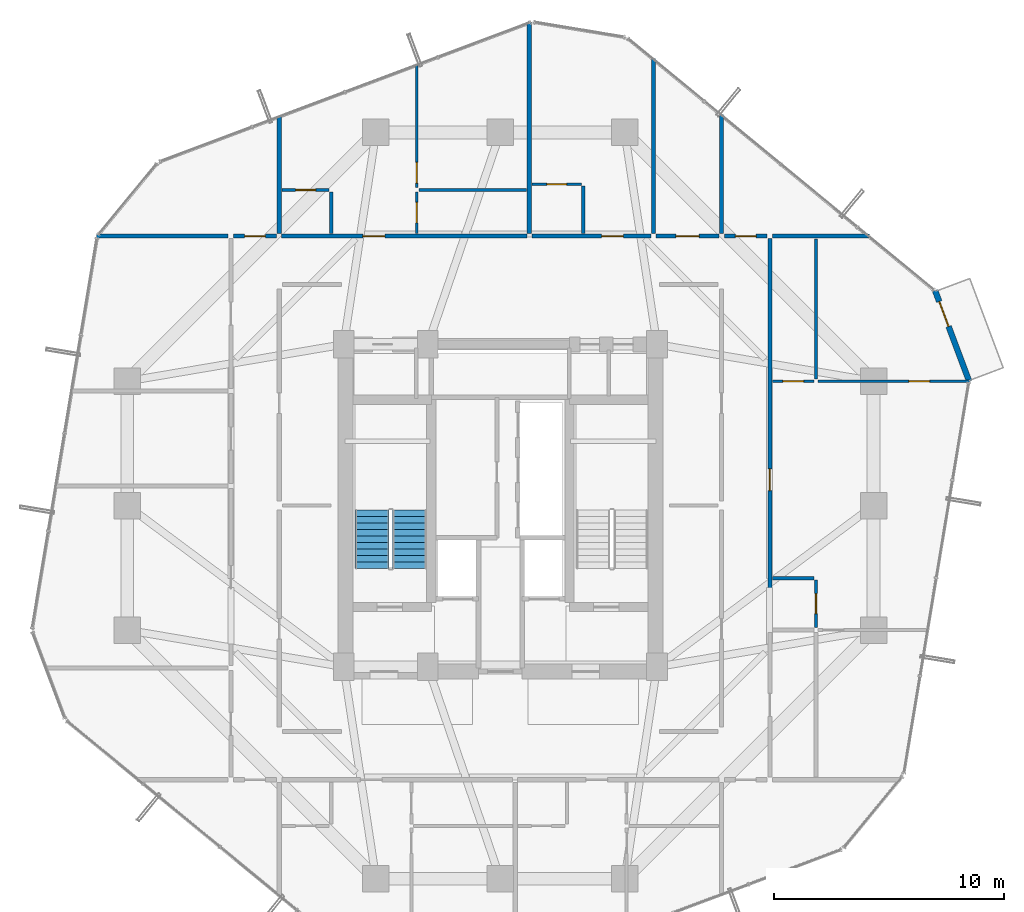
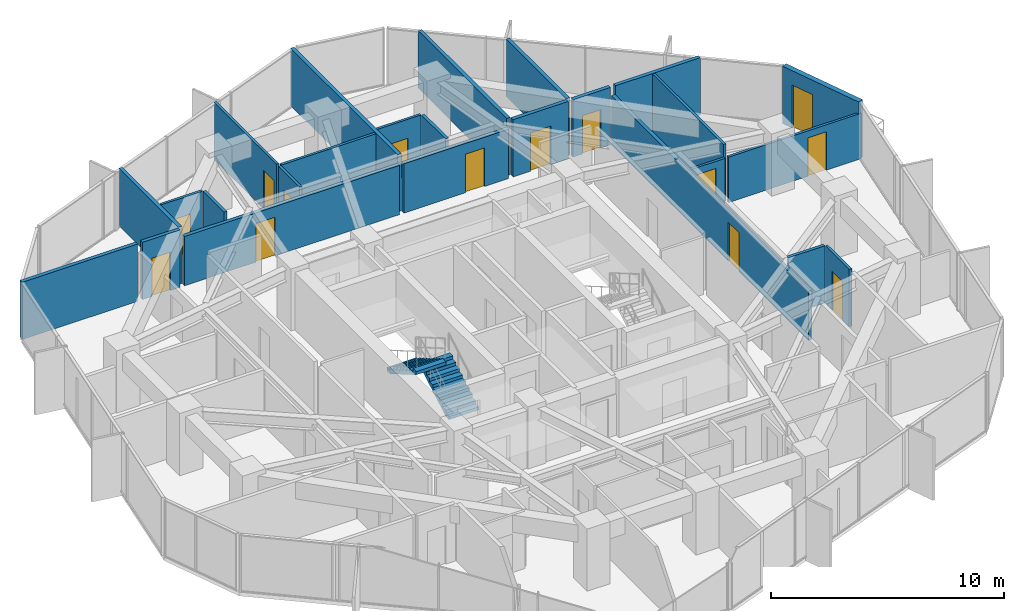
# One storey, part 27 of 30: 25 walls, 14 doors, 2 stair flights, 14 openings, 1 element without a shape of its own.
"""IFC4 building model written with IfcOpenShell, lengths in metres."""

from ifc_helpers import new_model, si_unit, direction, frame, frame_2d, origin, place, context, subcontext, project, spatial, polyline, rectangle, outline, extrude, source, transform, mapped, material, layer, layer_set, type_object, element, fill, aggregate, save


model = new_model("IFC4")

# Units and contexts
model_context = context("Model", 3, precision=1e-05, world=origin(), true_north=direction((0.0, 1.0)))
body_context = subcontext(model_context, "Body", "Model", "MODEL_VIEW")
ifc_project = project(units=[si_unit("LENGTHUNIT", "METRE"), si_unit("AREAUNIT", "SQUARE_METRE"), si_unit("VOLUMEUNIT", "CUBIC_METRE"), si_unit("PLANEANGLEUNIT", "RADIAN"), si_unit("MASSUNIT", "GRAM", prefix="KILO")], contexts=[model_context])

# Site, building, storey
site_placement = place(None, origin())
site = spatial("IfcSite", under=ifc_project, at=site_placement, CompositionType="ELEMENT")
building_placement = place(site_placement, origin())
building = spatial("IfcBuilding", under=site, at=building_placement, Name="Veraguas Prism Commons", CompositionType="ELEMENT")
storey_placement = place(building_placement, frame((0.0, 0.0, 95.949951171875)))
storey = spatial("IfcBuildingStorey", under=building, at=storey_placement, Name="L26", CompositionType="ELEMENT", Elevation=95.949951171875)

# Walls
ifc_material_1 = material(Name="Autoclaved aerated masonry block 10 MPa", Category="masonry")
ifc_layer_1 = layer(ifc_material_1, 0.179931640625, Name="Corridor and Inter-Tenancy Partition 180", Category="masonry")
ifc_layer_set_1 = layer_set([ifc_layer_1], Name="Autoclaved aerated masonry block 10 MPa")
wall_type_1 = type_object("IfcWallType", Name="Corridor and Inter-Tenancy Partition 180", PredefinedType="PARTITIONING", material=ifc_layer_set_1)
wall_1_placement = place(storey_placement, frame((14.39990234375, 35.820068359375, 0.0), z_axis=(0.0, 0.0, 1.0), x_axis=(0.0, 1.0, 0.0)))
element("IfcWall", 1, at=wall_1_placement, inside=storey, type_object=wall_type_1, Name="WL-L26-PT016", PredefinedType="PARTITIONING", context=body_context, shape_type="SweptSolid", body=[
    extrude(rectangle(XDim=5.097412109375, YDim=0.179931640625, at=frame_2d((2.548828125, 0.0))), origin(), (0.0, 0.0, 1.0), 3.0),
])
wall_2_placement = place(storey_placement, frame((33.60009765625, 35.820068359375, 0.0), z_axis=(0.0, 0.0, 1.0), x_axis=(0.0, 1.0, 0.0)))
element("IfcWall", 2, at=wall_2_placement, inside=storey, type_object=wall_type_1, Name="WL-L26-PT017", PredefinedType="PARTITIONING", context=body_context, shape_type="SweptSolid", body=[
    extrude(rectangle(XDim=5.158935546875, YDim=0.179931640625, at=frame_2d((2.57958984375, 0.0))), origin(), (0.0, 0.0, 1.0), 3.0),
])

# Wall, opening, door
wall_3_placement = place(storey_placement, frame((14.510009765625, 35.699951171875, 0.0), z_axis=(0.0, 0.0, 1.0), x_axis=(1.0, 0.0, 0.0)))
wall_3 = element("IfcWall", 3, at=wall_3_placement, inside=storey, type_object=wall_type_1, Name="WL-L26-PT018", PredefinedType="PARTITIONING", context=body_context, shape_type="SweptSolid", body=[
    extrude(rectangle(XDim=10.635986328125, YDim=0.179931640625, at=frame_2d((5.31787109375, 0.0))), origin(), (0.0, 0.0, 1.0), 2.580078125),
])
opening_1_placement = place(wall_3_placement, frame((3.525390625, 0.0, 0.0)))
opening_1 = element("IfcOpeningElement", 4, at=opening_1_placement, cuts=wall_3, Name="Opening DR-01", PredefinedType="OPENING", context=body_context, shape_type="SweptSolid", body=[
    extrude(rectangle(XDim=0.949951171875, YDim=2.02001953125, at=frame_2d((0.47509765625, 1.010009765625))), frame((0.0, 0.099853515625, 0.0), z_axis=(0.0, -1.0, 0.0), x_axis=(1.0, 0.0, 0.0)), (0.0, 0.0, 1.0), 0.199951171875),
])
ifc_material_2 = material(Name="Anodised aluminium EN AW-6063 T6", Category="aluminium")
door_type_1 = type_object("IfcDoorType", Name="Apartment Entrance Fire Door 950x2020", OperationType="NOTDEFINED", PredefinedType="DOOR", material=ifc_material_2)
shared_shape_1 = source(origin(), body_context, "Body", "SweptSolid", [
    extrude(rectangle(XDim=0.949951171875, YDim=2.02001953125, at=frame_2d((0.47509765625, 1.010009765625))), frame((0.0, 0.02490234375, 0.0), z_axis=(0.0, -1.0, 0.0), x_axis=(1.0, 0.0, 0.0)), (0.0, 0.0, 1.0), 0.050048828125),
])
door_1_placement = place(opening_1_placement, origin())
door_1 = element("IfcDoor", 5, at=door_1_placement, inside=storey, type_object=door_type_1, Name="Flat 26C Entrance Door", OperationType="SINGLE_SWING_RIGHT", OverallHeight=2.02001953125, OverallWidth=0.949951171875, PredefinedType="DOOR", context=body_context, shape_type="MappedRepresentation", body=[
    mapped(shared_shape_1, transform((0.0, 0.0, 0.0), scale=1.0)),
])
fill(opening_1, door_1)

# Wall
wall_4_placement = place(storey_placement, frame((25.256103515625, 35.820068359375, 0.0), z_axis=(0.0, 0.0, 1.0), x_axis=(0.0, 1.0, 0.0)))
element("IfcWall", 6, at=wall_4_placement, inside=storey, type_object=wall_type_1, Name="WL-L26-PT024", PredefinedType="PARTITIONING", context=body_context, shape_type="SweptSolid", body=[
    extrude(rectangle(XDim=9.173583984375, YDim=0.179931640625, at=frame_2d((4.5869140625, 0.0))), origin(), (0.0, 0.0, 1.0), 3.0),
])

# Wall, opening, door
wall_5_placement = place(storey_placement, frame((30.760009765625, 35.699951171875, 0.0), z_axis=(0.0, 0.0, 1.0), x_axis=(1.0, 0.0, 0.0)))
wall_5 = element("IfcWall", 7, at=wall_5_placement, inside=storey, type_object=wall_type_1, Name="WL-L26-PT025", PredefinedType="PARTITIONING", context=body_context, shape_type="SweptSolid", body=[
    extrude(rectangle(XDim=2.72998046875, YDim=0.179931640625, at=frame_2d((1.364990234375, 0.0))), origin(), (0.0, 0.0, 1.0), 3.0),
])
opening_2_placement = place(wall_5_placement, frame((0.864990234375, 0.0, 0.0)))
opening_2 = element("IfcOpeningElement", 8, at=opening_2_placement, cuts=wall_5, Name="Opening DR-13", PredefinedType="OPENING", context=body_context, shape_type="SweptSolid", body=[
    extrude(rectangle(XDim=1.0, YDim=2.010009765625, at=frame_2d((0.5, 1.0048828125))), frame((0.0, 0.099853515625, 0.0), z_axis=(0.0, -1.0, 0.0), x_axis=(1.0, 0.0, 0.0)), (0.0, 0.0, 1.0), 0.199951171875),
])
ifc_material_3 = material(Name="Steel fire-rated door assembly", Category="steel")
door_type_2 = type_object("IfcDoorType", Name="Core Accessible WC and Clinic Fire Door 1000x2010", OperationType="NOTDEFINED", PredefinedType="DOOR", material=ifc_material_3)
shared_shape_2 = source(origin(), body_context, "Body", "SweptSolid", [
    extrude(rectangle(XDim=1.0, YDim=2.010009765625, at=frame_2d((0.5, 1.0048828125))), frame((0.0, 0.02490234375, 0.0), z_axis=(0.0, -1.0, 0.0), x_axis=(1.0, 0.0, 0.0)), (0.0, 0.0, 1.0), 0.050048828125),
])
door_2_placement = place(opening_2_placement, origin())
door_2 = element("IfcDoor", 9, at=door_2_placement, inside=storey, type_object=door_type_2, Name="Quiet Study N Door", OperationType="SINGLE_SWING_RIGHT", OverallHeight=2.010009765625, OverallWidth=1.0, PredefinedType="DOOR", context=body_context, shape_type="MappedRepresentation", body=[
    mapped(shared_shape_2, transform((0.0, 0.0, 0.0), scale=1.0)),
])
fill(opening_2, door_2)

# Wall
wall_6_placement = place(storey_placement, frame((30.64990234375, 35.820068359375, 0.0), z_axis=(0.0, 0.0, 1.0), x_axis=(0.0, 1.0, 0.0)))
element("IfcWall", 10, at=wall_6_placement, inside=storey, type_object=wall_type_1, Name="WL-L26-PT026", PredefinedType="PARTITIONING", context=body_context, shape_type="SweptSolid", body=[
    extrude(rectangle(XDim=7.583740234375, YDim=0.179931640625, at=frame_2d((3.7919921875, 0.0))), origin(), (0.0, 0.0, 1.0), 3.0),
])

# Wall, opening, door
wall_7_placement = place(storey_placement, frame((25.365966796875, 35.699951171875, 0.0), z_axis=(0.0, 0.0, 1.0), x_axis=(1.0, 0.0, 0.0)))
wall_7 = element("IfcWall", 11, at=wall_7_placement, inside=storey, type_object=wall_type_1, Name="WL-L26-PT027", PredefinedType="PARTITIONING", context=body_context, shape_type="SweptSolid", body=[
    extrude(rectangle(XDim=5.174072265625, YDim=0.179931640625, at=frame_2d((2.5869140625, 0.0))), origin(), (0.0, 0.0, 1.0), 2.580078125),
])
opening_3_placement = place(wall_7_placement, frame((3.02978515625, 0.0, 0.0)))
opening_3 = element("IfcOpeningElement", 12, at=opening_3_placement, cuts=wall_7, Name="Opening DR-01", PredefinedType="OPENING", context=body_context, shape_type="SweptSolid", body=[
    extrude(rectangle(XDim=0.949951171875, YDim=2.02001953125, at=frame_2d((0.47509765625, 1.010009765625))), frame((0.0, 0.099853515625, 0.0), z_axis=(0.0, -1.0, 0.0), x_axis=(1.0, 0.0, 0.0)), (0.0, 0.0, 1.0), 0.199951171875),
])
door_3_placement = place(opening_3_placement, origin())
door_3 = element("IfcDoor", 13, at=door_3_placement, inside=storey, type_object=door_type_1, Name="Studio 26D Entrance Door", OperationType="SINGLE_SWING_LEFT", OverallHeight=2.02001953125, OverallWidth=0.949951171875, PredefinedType="DOOR", context=body_context, shape_type="MappedRepresentation", body=[
    mapped(shared_shape_1, transform((0.0, 0.0, 0.0), scale=1.0)),
])
fill(opening_3, door_3)

# Walls
wall_8_placement = place(storey_placement, frame((12.179931640625, 35.699951171875, 0.0), z_axis=(0.0, 0.0, 1.0), x_axis=(-1.0, 0.0, 0.0)))
element("IfcWall", 14, at=wall_8_placement, inside=storey, type_object=wall_type_1, Name="WL-L26-PT031", PredefinedType="PARTITIONING", context=body_context, shape_type="SweptSolid", body=[
    extrude(rectangle(XDim=5.7138671875, YDim=0.179931640625, at=frame_2d((2.85693359375, 0.0))), origin(), (0.0, 0.0, 1.0), 3.0),
])
wall_9_placement = place(storey_placement, frame((35.820068359375, 35.699951171875, 0.0), z_axis=(0.0, 0.0, 1.0), x_axis=(1.0, 0.0, 0.0)))
element("IfcWall", 15, at=wall_9_placement, inside=storey, type_object=wall_type_1, Name="WL-L26-PT040", PredefinedType="PARTITIONING", context=body_context, shape_type="SweptSolid", body=[
    extrude(rectangle(XDim=4.2021484375, YDim=0.179931640625, at=frame_2d((2.10107421875, 0.0))), origin(), (0.0, 0.0, 1.0), 3.0),
])

# Wall, opening, door
wall_10_placement = place(storey_placement, frame((35.699951171875, 18.7099609375, 0.0), z_axis=(0.0, 0.0, 1.0), x_axis=(0.0, 1.0, 0.0)))
wall_10 = element("IfcWall", 16, at=wall_10_placement, inside=storey, type_object=wall_type_1, Name="WL-L26-PT042", PredefinedType="PARTITIONING", context=body_context, shape_type="SweptSolid", body=[
    extrude(rectangle(XDim=16.880126953125, YDim=0.179931640625, at=frame_2d((8.43994140625, 0.0))), origin(), (0.0, 0.0, 1.0), 2.580078125),
])
opening_4_placement = place(wall_10_placement, frame((5.93994140625, 0.0, 0.0)))
opening_4 = element("IfcOpeningElement", 17, at=opening_4_placement, cuts=wall_10, Name="Opening DR-01", PredefinedType="OPENING", context=body_context, shape_type="SweptSolid", body=[
    extrude(rectangle(XDim=0.949951171875, YDim=2.02001953125, at=frame_2d((0.47509765625, 1.010009765625))), frame((0.0, 0.099853515625, 0.0), z_axis=(0.0, -1.0, 0.0), x_axis=(1.0, 0.0, 0.0)), (0.0, 0.0, 1.0), 0.199951171875),
])
door_4_placement = place(opening_4_placement, origin())
door_4 = element("IfcDoor", 18, at=door_4_placement, inside=storey, type_object=door_type_1, Name="Flat 26E Entrance Door", OperationType="SINGLE_SWING_RIGHT", OverallHeight=2.02001953125, OverallWidth=0.949951171875, PredefinedType="DOOR", context=body_context, shape_type="MappedRepresentation", body=[
    mapped(shared_shape_1, transform((0.0, 0.0, 0.0), scale=1.0)),
])
fill(opening_4, door_4)

wall_11_placement = place(storey_placement, frame((12.419921875, 35.699951171875, 0.0), z_axis=(0.0, 0.0, 1.0), x_axis=(1.0, 0.0, 0.0)))
wall_11 = element("IfcWall", 19, at=wall_11_placement, inside=storey, type_object=wall_type_1, Name="WL-L26-PT053", PredefinedType="PARTITIONING", context=body_context, shape_type="SweptSolid", body=[
    extrude(rectangle(XDim=1.860107421875, YDim=0.179931640625, at=frame_2d((0.93017578125, 0.0))), origin(), (0.0, 0.0, 1.0), 3.0),
])
opening_5_placement = place(wall_11_placement, frame((0.47998046875, 0.0, 0.0)))
opening_5 = element("IfcOpeningElement", 20, at=opening_5_placement, cuts=wall_11, Name="Opening DR-14", PredefinedType="OPENING", context=body_context, shape_type="SweptSolid", body=[
    extrude(rectangle(XDim=0.89990234375, YDim=2.010009765625, at=frame_2d((0.449951171875, 1.0048828125))), frame((0.0, 0.099853515625, 0.0), z_axis=(0.0, -1.0, 0.0), x_axis=(1.0, 0.0, 0.0)), (0.0, 0.0, 1.0), 0.199951171875),
])
door_type_3 = type_object("IfcDoorType", Name="Core Service Room Fire Door 900x2010", OperationType="NOTDEFINED", PredefinedType="DOOR", material=ifc_material_3)
shared_shape_3 = source(origin(), body_context, "Body", "SweptSolid", [
    extrude(rectangle(XDim=0.89990234375, YDim=2.010009765625, at=frame_2d((0.449951171875, 1.0048828125))), frame((0.0, 0.02490234375, 0.0), z_axis=(0.0, -1.0, 0.0), x_axis=(1.0, 0.0, 0.0)), (0.0, 0.0, 1.0), 0.050048828125),
])
door_5_placement = place(opening_5_placement, origin())
door_5 = element("IfcDoor", 21, at=door_5_placement, inside=storey, type_object=door_type_3, Name="Community Co-op Kitchen NW Door", OperationType="SINGLE_SWING_LEFT", OverallHeight=2.010009765625, OverallWidth=0.89990234375, PredefinedType="DOOR", context=body_context, shape_type="MappedRepresentation", body=[
    mapped(shared_shape_3, transform((0.0, 0.0, 0.0), scale=1.0)),
])
fill(opening_5, door_5)

wall_12_placement = place(storey_placement, frame((33.719970703125, 35.699951171875, 0.0), z_axis=(0.0, 0.0, 1.0), x_axis=(1.0, 0.0, 0.0)))
wall_12 = element("IfcWall", 22, at=wall_12_placement, inside=storey, type_object=wall_type_1, Name="WL-L26-PT054", PredefinedType="PARTITIONING", context=body_context, shape_type="SweptSolid", body=[
    extrude(rectangle(XDim=1.860107421875, YDim=0.179931640625, at=frame_2d((0.93017578125, 0.0))), origin(), (0.0, 0.0, 1.0), 3.0),
])
opening_6_placement = place(wall_12_placement, frame((0.47998046875, 0.0, 0.0)))
opening_6 = element("IfcOpeningElement", 23, at=opening_6_placement, cuts=wall_12, Name="Opening DR-14", PredefinedType="OPENING", context=body_context, shape_type="SweptSolid", body=[
    extrude(rectangle(XDim=0.89990234375, YDim=2.010009765625, at=frame_2d((0.449951171875, 1.0048828125))), frame((0.0, 0.099853515625, 0.0), z_axis=(0.0, -1.0, 0.0), x_axis=(1.0, 0.0, 0.0)), (0.0, 0.0, 1.0), 0.199951171875),
])
door_6_placement = place(opening_6_placement, origin())
door_6 = element("IfcDoor", 24, at=door_6_placement, inside=storey, type_object=door_type_3, Name="Residents Cycle and Pram Store NE Door", OperationType="SINGLE_SWING_RIGHT", OverallHeight=2.010009765625, OverallWidth=0.89990234375, PredefinedType="DOOR", context=body_context, shape_type="MappedRepresentation", body=[
    mapped(shared_shape_3, transform((0.0, 0.0, 0.0), scale=1.0)),
])
fill(opening_6, door_6)

ifc_material_4 = material(Name="Precast concrete C40/50", Category="concrete")
ifc_layer_2 = layer(ifc_material_4, 0.25, Name="External Loggia and Portal Wall 250", Category="concrete")
ifc_layer_set_2 = layer_set([ifc_layer_2], Name="Precast concrete C40/50")
wall_type_2 = type_object("IfcWallType", Name="External Loggia and Portal Wall 250", PredefinedType="SOLIDWALL", material=ifc_layer_set_2)
wall_13_placement = place(storey_placement, frame((44.358154296875, 29.38330078125, 0.0), z_axis=(0.0, 0.0, 1.0), x_axis=(-0.351527922506, 0.936177397558, 0.0)))
wall_13 = element("IfcWall", 25, at=wall_13_placement, inside=storey, type_object=wall_type_2, Name="Corner Loggia Wall L26-C1", PredefinedType="SOLIDWALL", context=body_context, shape_type="SweptSolid", body=[
    extrude(rectangle(XDim=4.233154296875, YDim=0.25, at=frame_2d((2.11669921875, 0.0))), origin(), (0.0, 0.0, 1.0), 3.0),
])
opening_7_placement = place(wall_13_placement, frame((2.56005859375, 0.0, 0.0)))
opening_7 = element("IfcOpeningElement", 26, at=opening_7_placement, cuts=wall_13, Name="Opening DR-10", PredefinedType="OPENING", context=body_context, shape_type="SweptSolid", body=[
    extrude(rectangle(XDim=1.14990234375, YDim=2.25, at=frame_2d((0.574951171875, 1.125))), frame((0.0, 0.135009765625, 0.0), z_axis=(0.0, -1.0, 0.0), x_axis=(1.0, 0.0, 0.0)), (0.0, 0.0, 1.0), 0.27001953125),
])
door_type_4 = type_object("IfcDoorType", Name="Glazed Loggia and Terrace Door 1150x2250", OperationType="NOTDEFINED", PredefinedType="DOOR", material=ifc_material_2)
shared_shape_4 = source(origin(), body_context, "Body", "SweptSolid", [
    extrude(rectangle(XDim=1.14990234375, YDim=2.25, at=frame_2d((0.574951171875, 1.125))), frame((0.0, 0.02490234375, 0.0), z_axis=(0.0, -1.0, 0.0), x_axis=(1.0, 0.0, 0.0)), (0.0, 0.0, 1.0), 0.050048828125),
])
door_7_placement = place(opening_7_placement, frame((1.14990234375, 0.0, 0.0), z_axis=(0.0, 0.0, 1.0), x_axis=(-1.0, 0.0, 0.0)))
door_7 = element("IfcDoor", 27, at=door_7_placement, inside=storey, type_object=door_type_4, Name="Recessed Loggia Door L26-C1", OperationType="SINGLE_SWING_RIGHT", OverallHeight=2.25, OverallWidth=1.14990234375, PredefinedType="DOOR", context=body_context, shape_type="MappedRepresentation", body=[
    mapped(shared_shape_4, transform((0.0, 0.0, 0.0), scale=1.0)),
])
fill(opening_7, door_7)

ifc_material_5 = material(Name="Lightweight acoustic gypsum board")
ifc_layer_3 = layer(ifc_material_5, 0.125, Name="Internal Apartment Room Partition 125")
ifc_layer_set_3 = layer_set([ifc_layer_3], Name="Lightweight acoustic gypsum board")
wall_type_3 = type_object("IfcWallType", Name="Internal Apartment Room Partition 125", PredefinedType="PARTITIONING", material=ifc_layer_set_3)
wall_14_placement = place(storey_placement, frame((14.52001953125, 37.699951171875, 0.0), z_axis=(0.0, 0.0, 1.0), x_axis=(1.0, 0.0, 0.0)))
wall_14 = element("IfcWall", 28, at=wall_14_placement, inside=storey, type_object=wall_type_3, Name="WL-L26-PT020", PredefinedType="PARTITIONING", context=body_context, shape_type="SweptSolid", body=[
    extrude(rectangle(XDim=2.050048828125, YDim=0.125, at=frame_2d((1.02490234375, 0.0))), origin(), (0.0, 0.0, 1.0), 3.0),
])
opening_8_placement = place(wall_14_placement, frame((0.594970703125, 0.0, 0.0)))
opening_8 = element("IfcOpeningElement", 29, at=opening_8_placement, cuts=wall_14, Name="Opening DR-03", PredefinedType="OPENING", context=body_context, shape_type="SweptSolid", body=[
    extrude(rectangle(XDim=0.860107421875, YDim=2.010009765625, at=frame_2d((0.43017578125, 1.0048828125))), frame((0.0, 0.072509765625, 0.0), z_axis=(0.0, -1.0, 0.0), x_axis=(1.0, 0.0, 0.0)), (0.0, 0.0, 1.0), 0.14501953125),
])
ifc_material_6 = material(Name="Timber moisture-resistant leaf", Category="wood")
door_type_5 = type_object("IfcDoorType", Name="Internal Bathroom Door 860x2010", OperationType="NOTDEFINED", PredefinedType="DOOR", material=ifc_material_6)
shared_shape_5 = source(origin(), body_context, "Body", "SweptSolid", [
    extrude(rectangle(XDim=0.860107421875, YDim=2.010009765625, at=frame_2d((0.43017578125, 1.0048828125))), frame((0.0, 0.02490234375, 0.0), z_axis=(0.0, -1.0, 0.0), x_axis=(1.0, 0.0, 0.0)), (0.0, 0.0, 1.0), 0.050048828125),
])
door_8_placement = place(opening_8_placement, origin())
door_8 = element("IfcDoor", 30, at=door_8_placement, inside=storey, type_object=door_type_5, Name="Flat 26C Bathroom Door", OperationType="SINGLE_SWING_LEFT", OverallHeight=2.010009765625, OverallWidth=0.860107421875, PredefinedType="DOOR", context=body_context, shape_type="MappedRepresentation", body=[
    mapped(shared_shape_5, transform((0.0, 0.0, 0.0), scale=1.0)),
])
fill(opening_8, door_8)

wall_15_placement = place(storey_placement, frame((20.37109375, 35.820068359375, 0.0), z_axis=(0.0, 0.0, 1.0), x_axis=(0.0, 1.0, 0.0)))
wall_15 = element("IfcWall", 31, at=wall_15_placement, inside=storey, type_object=wall_type_3, Name="WL-L26-PT021", PredefinedType="PARTITIONING", context=body_context, shape_type="SweptSolid", body=[
    extrude(rectangle(XDim=1.800048828125, YDim=0.125, at=frame_2d((0.89990234375, 0.0))), origin(), (0.0, 0.0, 1.0), 3.0),
])
opening_9_placement = place(wall_15_placement, frame((0.449951171875, 0.0, 0.0)))
opening_9 = element("IfcOpeningElement", 32, at=opening_9_placement, cuts=wall_15, Name="Opening DR-02", PredefinedType="OPENING", context=body_context, shape_type="SweptSolid", body=[
    extrude(rectangle(XDim=0.89990234375, YDim=2.010009765625, at=frame_2d((0.449951171875, 1.0048828125))), frame((0.0, 0.072509765625, 0.0), z_axis=(0.0, -1.0, 0.0), x_axis=(1.0, 0.0, 0.0)), (0.0, 0.0, 1.0), 0.14501953125),
])
ifc_material_7 = material(Name="Timber solid core hardwood", Category="wood")
door_type_6 = type_object("IfcDoorType", Name="Internal Habitable Room Door 900x2010", OperationType="NOTDEFINED", PredefinedType="DOOR", material=ifc_material_7)
door_9_placement = place(opening_9_placement, origin())
door_9 = element("IfcDoor", 33, at=door_9_placement, inside=storey, type_object=door_type_6, Name="Flat 26C Kitchen Door", OperationType="SINGLE_SWING_RIGHT", OverallHeight=2.010009765625, OverallWidth=0.89990234375, PredefinedType="DOOR", context=body_context, shape_type="MappedRepresentation", body=[
    mapped(shared_shape_3, transform((0.0, 0.0, 0.0), scale=1.0)),
])
fill(opening_9, door_9)

# Wall
wall_16_placement = place(storey_placement, frame((20.470947265625, 37.699951171875, 0.0), z_axis=(0.0, 0.0, 1.0), x_axis=(1.0, 0.0, 0.0)))
element("IfcWall", 34, at=wall_16_placement, inside=storey, type_object=wall_type_3, Name="WL-L26-PT022", PredefinedType="PARTITIONING", context=body_context, shape_type="SweptSolid", body=[
    extrude(rectangle(XDim=4.6650390625, YDim=0.125, at=frame_2d((2.33251953125, 0.0))), origin(), (0.0, 0.0, 1.0), 3.0),
])

# Wall, opening, door
wall_17_placement = place(storey_placement, frame((20.37109375, 37.800048828125, 0.0), z_axis=(0.0, 0.0, 1.0), x_axis=(0.0, 1.0, 0.0)))
wall_17 = element("IfcWall", 35, at=wall_17_placement, inside=storey, type_object=wall_type_3, Name="WL-L26-PT023", PredefinedType="PARTITIONING", context=body_context, shape_type="SweptSolid", body=[
    extrude(rectangle(XDim=5.359375, YDim=0.125, at=frame_2d((2.6796875, 0.0))), origin(), (0.0, 0.0, 1.0), 3.0),
])
opening_10_placement = place(wall_17_placement, frame((0.199951171875, 0.0, 0.0)))
opening_10 = element("IfcOpeningElement", 36, at=opening_10_placement, cuts=wall_17, Name="Opening DR-02", PredefinedType="OPENING", context=body_context, shape_type="SweptSolid", body=[
    extrude(rectangle(XDim=0.89990234375, YDim=2.010009765625, at=frame_2d((0.449951171875, 1.0048828125))), frame((0.0, 0.072509765625, 0.0), z_axis=(0.0, -1.0, 0.0), x_axis=(1.0, 0.0, 0.0)), (0.0, 0.0, 1.0), 0.14501953125),
])
door_10_placement = place(opening_10_placement, origin())
door_10 = element("IfcDoor", 37, at=door_10_placement, inside=storey, type_object=door_type_6, Name="Flat 26C Bedroom 1 Door", OperationType="SINGLE_SWING_LEFT", OverallHeight=2.010009765625, OverallWidth=0.89990234375, PredefinedType="DOOR", context=body_context, shape_type="MappedRepresentation", body=[
    mapped(shared_shape_3, transform((0.0, 0.0, 0.0), scale=1.0)),
])
fill(opening_10, door_10)

wall_18_placement = place(storey_placement, frame((25.3759765625, 37.949951171875, 0.0), z_axis=(0.0, 0.0, 1.0), x_axis=(1.0, 0.0, 0.0)))
wall_18 = element("IfcWall", 38, at=wall_18_placement, inside=storey, type_object=wall_type_3, Name="WL-L26-PT029", PredefinedType="PARTITIONING", context=body_context, shape_type="SweptSolid", body=[
    extrude(rectangle(XDim=2.14990234375, YDim=0.125, at=frame_2d((1.074951171875, 0.0))), origin(), (0.0, 0.0, 1.0), 3.0),
])
opening_11_placement = place(wall_18_placement, frame((0.64501953125, 0.0, 0.0)))
opening_11 = element("IfcOpeningElement", 39, at=opening_11_placement, cuts=wall_18, Name="Opening DR-03", PredefinedType="OPENING", context=body_context, shape_type="SweptSolid", body=[
    extrude(rectangle(XDim=0.860107421875, YDim=2.010009765625, at=frame_2d((0.43017578125, 1.0048828125))), frame((0.0, 0.072509765625, 0.0), z_axis=(0.0, -1.0, 0.0), x_axis=(1.0, 0.0, 0.0)), (0.0, 0.0, 1.0), 0.14501953125),
])
door_11_placement = place(opening_11_placement, origin())
door_11 = element("IfcDoor", 40, at=door_11_placement, inside=storey, type_object=door_type_5, Name="Studio 26D Bathroom Door", OperationType="SINGLE_SWING_RIGHT", OverallHeight=2.010009765625, OverallWidth=0.860107421875, PredefinedType="DOOR", context=body_context, shape_type="MappedRepresentation", body=[
    mapped(shared_shape_5, transform((0.0, 0.0, 0.0), scale=1.0)),
])
fill(opening_11, door_11)

wall_19_placement = place(storey_placement, frame((37.699951171875, 18.719970703125, 0.0), z_axis=(0.0, 0.0, 1.0), x_axis=(0.0, 1.0, 0.0)))
wall_19 = element("IfcWall", 41, at=wall_19_placement, inside=storey, type_object=wall_type_3, Name="WL-L26-PT047", PredefinedType="PARTITIONING", context=body_context, shape_type="SweptSolid", body=[
    extrude(rectangle(XDim=2.050048828125, YDim=0.125, at=frame_2d((1.02490234375, 0.0))), origin(), (0.0, 0.0, 1.0), 3.0),
])
opening_12_placement = place(wall_19_placement, frame((0.594970703125, 0.0, 0.0)))
opening_12 = element("IfcOpeningElement", 42, at=opening_12_placement, cuts=wall_19, Name="Opening DR-03", PredefinedType="OPENING", context=body_context, shape_type="SweptSolid", body=[
    extrude(rectangle(XDim=0.860107421875, YDim=2.010009765625, at=frame_2d((0.43017578125, 1.0048828125))), frame((0.0, 0.072509765625, 0.0), z_axis=(0.0, -1.0, 0.0), x_axis=(1.0, 0.0, 0.0)), (0.0, 0.0, 1.0), 0.14501953125),
])
door_12_placement = place(opening_12_placement, origin())
door_12 = element("IfcDoor", 43, at=door_12_placement, inside=storey, type_object=door_type_5, Name="Flat 26E Bathroom Door", OperationType="SINGLE_SWING_RIGHT", OverallHeight=2.010009765625, OverallWidth=0.860107421875, PredefinedType="DOOR", context=body_context, shape_type="MappedRepresentation", body=[
    mapped(shared_shape_5, transform((0.0, 0.0, 0.0), scale=1.0)),
])
fill(opening_12, door_12)

wall_20_placement = place(storey_placement, frame((35.820068359375, 29.39990234375, 0.0), z_axis=(0.0, 0.0, 1.0), x_axis=(1.0, 0.0, 0.0)))
wall_20 = element("IfcWall", 44, at=wall_20_placement, inside=storey, type_object=wall_type_3, Name="WL-L26-PT048", PredefinedType="PARTITIONING", context=body_context, shape_type="SweptSolid", body=[
    extrude(rectangle(XDim=1.800048828125, YDim=0.125, at=frame_2d((0.89990234375, 0.0))), origin(), (0.0, 0.0, 1.0), 2.3779296875),
])
opening_13_placement = place(wall_20_placement, frame((0.449951171875, 0.0, 0.0)))
opening_13 = element("IfcOpeningElement", 45, at=opening_13_placement, cuts=wall_20, Name="Opening DR-02", PredefinedType="OPENING", context=body_context, shape_type="SweptSolid", body=[
    extrude(rectangle(XDim=0.89990234375, YDim=2.010009765625, at=frame_2d((0.449951171875, 1.0048828125))), frame((0.0, 0.072509765625, 0.0), z_axis=(0.0, -1.0, 0.0), x_axis=(1.0, 0.0, 0.0)), (0.0, 0.0, 1.0), 0.14501953125),
])
door_13_placement = place(opening_13_placement, origin())
door_13 = element("IfcDoor", 46, at=door_13_placement, inside=storey, type_object=door_type_6, Name="Flat 26E Kitchen Door", OperationType="SINGLE_SWING_LEFT", OverallHeight=2.010009765625, OverallWidth=0.89990234375, PredefinedType="DOOR", context=body_context, shape_type="MappedRepresentation", body=[
    mapped(shared_shape_3, transform((0.0, 0.0, 0.0), scale=1.0)),
])
fill(opening_13, door_13)

# Wall
wall_21_placement = place(storey_placement, frame((37.699951171875, 29.5, 0.0), z_axis=(0.0, 0.0, 1.0), x_axis=(0.0, 1.0, 0.0)))
element("IfcWall", 47, at=wall_21_placement, inside=storey, type_object=wall_type_3, Name="WL-L26-PT049", PredefinedType="PARTITIONING", context=body_context, shape_type="SweptSolid", body=[
    extrude(rectangle(XDim=6.080078125, YDim=0.125, at=frame_2d((3.0400390625, 0.0))), origin(), (0.0, 0.0, 1.0), 3.0),
])

# Wall, opening, door
wall_22_placement = place(storey_placement, frame((37.800048828125, 29.39990234375, 0.0), z_axis=(0.0, 0.0, 1.0), x_axis=(1.0, 0.0, 0.0)))
wall_22 = element("IfcWall", 48, at=wall_22_placement, inside=storey, type_object=wall_type_3, Name="WL-L26-PT050", PredefinedType="PARTITIONING", context=body_context, shape_type="SweptSolid", body=[
    extrude(rectangle(XDim=6.571044921875, YDim=0.125, at=frame_2d((3.28564453125, 0.0))), origin(), (0.0, 0.0, 1.0), 2.3779296875),
])
opening_14_placement = place(wall_22_placement, frame((3.93359375, 0.0, 0.0)))
opening_14 = element("IfcOpeningElement", 49, at=opening_14_placement, cuts=wall_22, Name="Opening DR-02", PredefinedType="OPENING", context=body_context, shape_type="SweptSolid", body=[
    extrude(rectangle(XDim=0.89990234375, YDim=2.010009765625, at=frame_2d((0.449951171875, 1.0048828125))), frame((0.0, 0.072509765625, 0.0), z_axis=(0.0, -1.0, 0.0), x_axis=(1.0, 0.0, 0.0)), (0.0, 0.0, 1.0), 0.14501953125),
])
door_14_placement = place(opening_14_placement, origin())
door_14 = element("IfcDoor", 50, at=door_14_placement, inside=storey, type_object=door_type_6, Name="Flat 26E Bedroom 1 Door", OperationType="SINGLE_SWING_RIGHT", OverallHeight=2.010009765625, OverallWidth=0.89990234375, PredefinedType="DOOR", context=body_context, shape_type="MappedRepresentation", body=[
    mapped(shared_shape_3, transform((0.0, 0.0, 0.0), scale=1.0)),
])
fill(opening_14, door_14)

# Walls
ifc_layer_4 = layer(ifc_material_5, 0.14990234375, Name="Wet Room and Clinic Acoustic Partition 150")
ifc_layer_set_4 = layer_set([ifc_layer_4], Name="Lightweight acoustic gypsum board")
wall_type_4 = type_object("IfcWallType", Name="Wet Room and Clinic Acoustic Partition 150", PredefinedType="PARTITIONING", material=ifc_layer_set_4)
wall_23_placement = place(storey_placement, frame((16.64990234375, 35.820068359375, 0.0), z_axis=(0.0, 0.0, 1.0), x_axis=(0.0, 1.0, 0.0)))
element("IfcWall", 51, at=wall_23_placement, inside=storey, type_object=wall_type_4, Name="WL-L26-PT019", PredefinedType="PARTITIONING", context=body_context, shape_type="SweptSolid", body=[
    extrude(rectangle(XDim=1.800048828125, YDim=0.14990234375, at=frame_2d((0.89990234375, 0.0))), origin(), (0.0, 0.0, 1.0), 3.0),
])
wall_24_placement = place(storey_placement, frame((27.60595703125, 35.820068359375, 0.0), z_axis=(0.0, 0.0, 1.0), x_axis=(0.0, 1.0, 0.0)))
element("IfcWall", 52, at=wall_24_placement, inside=storey, type_object=wall_type_4, Name="WL-L26-PT028", PredefinedType="PARTITIONING", context=body_context, shape_type="SweptSolid", body=[
    extrude(rectangle(XDim=2.050048828125, YDim=0.14990234375, at=frame_2d((1.02490234375, 0.0))), origin(), (0.0, 0.0, 1.0), 3.0),
])
wall_25_placement = place(storey_placement, frame((35.820068359375, 20.85009765625, 0.0), z_axis=(0.0, 0.0, 1.0), x_axis=(1.0, 0.0, 0.0)))
element("IfcWall", 53, at=wall_25_placement, inside=storey, type_object=wall_type_4, Name="WL-L26-PT046", PredefinedType="PARTITIONING", context=body_context, shape_type="SweptSolid", body=[
    extrude(rectangle(XDim=1.800048828125, YDim=0.14990234375, at=frame_2d((0.89990234375, 0.0))), origin(), (0.0, 0.0, 1.0), 3.0),
])

# Stair, stair flights
ifc_material_8 = material(Name="Precast concrete C45/55", Category="concrete")
stair_type = type_object("IfcStairType", Name="Dogleg Core Stair 1480W 20R 05", PredefinedType="HALF_TURN_STAIR", material=ifc_material_8)
stair_placement = place(storey_placement, origin())
stair = element("IfcStair", 54, at=stair_placement, inside=storey, type_object=stair_type, Name="Protected Exit Stair ST-01 L26", PredefinedType="HALF_TURN_STAIR")
stair_flight_type = type_object("IfcStairFlightType", Name="Precast Stair Flight 1480W 10R 05", PredefinedType="STRAIGHT", material=ifc_material_8)
stair_flight_1_placement = place(storey_placement, frame((20.06005859375, 21.280029296875, 0.0), z_axis=(0.0, 0.0, 1.0), x_axis=(0.0, 1.0, 0.0)))
stair_flight_1 = element("IfcStairFlight", 55, at=stair_flight_1_placement, type_object=stair_flight_type, Name="ST-05 Flight 1", NumberOfRisers=10, NumberOfTreads=9, PredefinedType="STRAIGHT", RiserHeight=0.1625, TreadLength=0.28, context=body_context, shape_type="SweptSolid", body=[
    extrude(outline(polyline([(0.0, 0.0), (0.0, 0.16259765625), (0.280029296875, 0.16259765625), (0.280029296875, 0.324951171875), (0.56005859375, 0.324951171875), (0.56005859375, 0.487548828125), (0.840087890625, 0.487548828125), (0.840087890625, 0.64990234375), (1.1201171875, 0.64990234375), (1.1201171875, 0.8125), (1.39990234375, 0.8125), (1.39990234375, 0.97509765625), (1.679931640625, 0.97509765625), (1.679931640625, 1.137451171875), (1.9599609375, 1.137451171875), (1.9599609375, 1.300048828125), (2.239990234375, 1.300048828125), (2.239990234375, 1.46240234375), (2.52001953125, 1.46240234375), (2.52001953125, 1.625), (2.52001953125, 1.2890625), (0.298583984375, 0.0), (0.0, 0.0)])), frame((0.0, 0.739990234375, 0.0), z_axis=(0.0, -1.0, 0.0), x_axis=(1.0, 0.0, 0.0)), (0.0, 0.0, 1.0), 1.47998046875),
])
stair_flight_2_placement = place(storey_placement, frame((18.429931640625, 23.800048828125, 1.625), z_axis=(0.0, 0.0, 1.0), x_axis=(0.0, -1.0, 0.0)))
stair_flight_2 = element("IfcStairFlight", 56, at=stair_flight_2_placement, type_object=stair_flight_type, Name="ST-05 Flight 2", NumberOfRisers=10, NumberOfTreads=9, PredefinedType="STRAIGHT", RiserHeight=0.1625, TreadLength=0.28, context=body_context, shape_type="SweptSolid", body=[
    extrude(outline(polyline([(0.0, 0.0), (0.0, 0.16259765625), (0.280029296875, 0.16259765625), (0.280029296875, 0.324951171875), (0.56005859375, 0.324951171875), (0.56005859375, 0.487548828125), (0.840087890625, 0.487548828125), (0.840087890625, 0.64990234375), (1.1201171875, 0.64990234375), (1.1201171875, 0.8125), (1.39990234375, 0.8125), (1.39990234375, 0.97509765625), (1.679931640625, 0.97509765625), (1.679931640625, 1.137451171875), (1.9599609375, 1.137451171875), (1.9599609375, 1.300048828125), (2.239990234375, 1.300048828125), (2.239990234375, 1.46240234375), (2.52001953125, 1.46240234375), (2.52001953125, 1.625), (2.52001953125, 1.2890625), (0.298583984375, 0.0), (0.0, 0.0)])), frame((0.0, 0.739990234375, 0.0), z_axis=(0.0, -1.0, 0.0), x_axis=(1.0, 0.0, 0.0)), (0.0, 0.0, 1.0), 1.47998046875),
])
aggregate(stair, [stair_flight_1, stair_flight_2])

save(model, "model.ifc")
